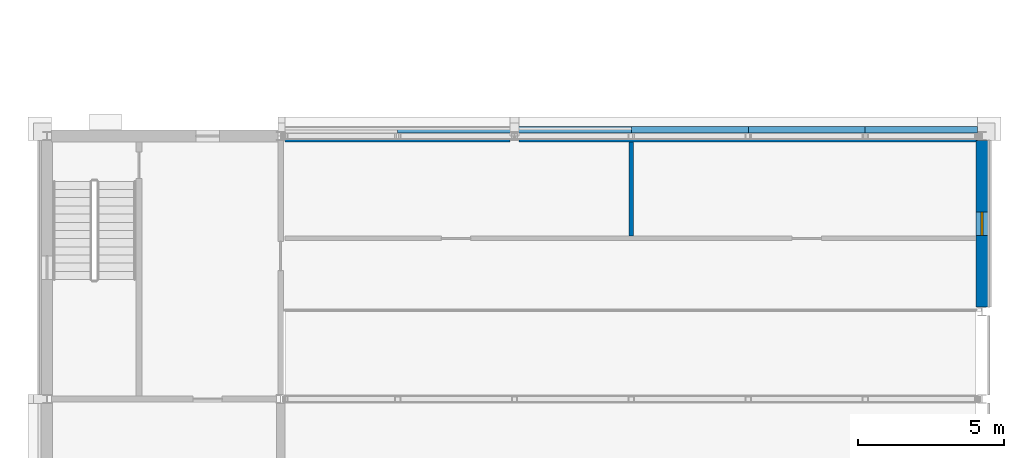
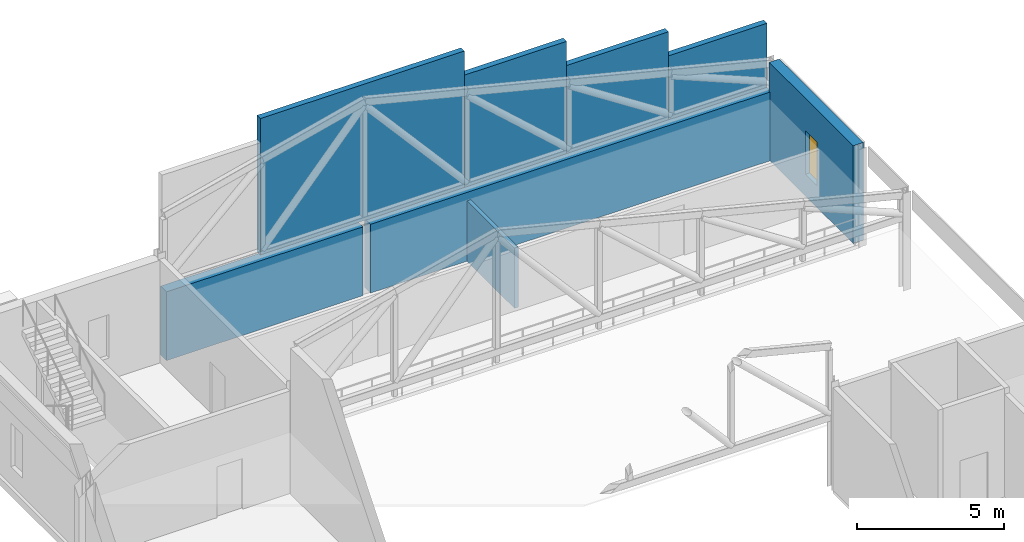
# One storey, part 100 of 149: 8 walls, 1 window, 1 opening.
"""IFC4 building model written with IfcOpenShell, lengths in metres."""

import ifcopenshell
import ifcopenshell.guid

model = None  # the IFC model being written
_history = None  # IfcOwnerHistory: only IFC2X3 demands one
_inside = {}  # id of a spatial element -> (the spatial element, [elements in it])
_under = {}  # id of a project, library or spatial element -> (it, [spatial elements below it])
_declared = {}  # id of a project -> (the project, [libraries it declares])
_typed = {}  # id of a type object -> (the type object, [elements of that type])
_made_of = {}  # id of a material, layer set ... -> (it, [elements and type objects made of it])


def new_model(schema):
    """Start an empty IFC model of exactly this schema.

    Asked for "IFC4X3", IfcOpenShell would pick the latest addendum, in which some entities
    have other attributes; the version numbers below select the first issue.
    IFC2X3 requires an IfcOwnerHistory on every rooted entity: one is made here for all.
    """
    global model, _history
    if schema == "IFC4X3":
        model = ifcopenshell.file(schema_version=(4, 3, 0, 0))
    else:
        model = ifcopenshell.file(schema=schema)
    _inside.clear()
    _under.clear()
    _declared.clear()
    _typed.clear()
    _made_of.clear()
    _history = None
    if model.schema == "IFC2X3":
        org = make("IfcOrganization", Name="unknown")
        user = make(
            "IfcPersonAndOrganization",
            ThePerson=make("IfcPerson", FamilyName="unknown"),
            TheOrganization=org,
        )
        app = make(
            "IfcApplication",
            ApplicationDeveloper=org,
            Version="unknown",
            ApplicationFullName="unknown",
            ApplicationIdentifier="unknown",
        )
        _history = make(
            "IfcOwnerHistory",
            OwningUser=user,
            OwningApplication=app,
            ChangeAction="ADDED",
            CreationDate=0,
        )
    return model


def make(cls, **values):
    """One entity of the class cls with the attributes given. An attribute that is None is left unset."""
    return model.create_entity(
        cls, **{name: value for name, value in values.items() if value is not None}
    )


def rooted(cls, **values):
    """An entity with a GlobalId (a new one), such as an element, a storey or a relation."""
    return make(cls, GlobalId=ifcopenshell.guid.new(), OwnerHistory=_history, **values)


def si_unit(unit_type, name, prefix=None):
    """IfcSIUnit, for example si_unit("LENGTHUNIT", "METRE", prefix="MILLI")."""
    return make("IfcSIUnit", UnitType=unit_type, Prefix=prefix, Name=name)


def assignment(units):
    """IfcUnitAssignment: the units of a project."""
    return None if units is None else make("IfcUnitAssignment", Units=units)


def point(xyz):
    """IfcCartesianPoint."""
    return None if xyz is None else make("IfcCartesianPoint", Coordinates=xyz)


def direction(xyz):
    """IfcDirection."""
    return None if xyz is None else make("IfcDirection", DirectionRatios=xyz)


def frame(location, z_axis=None, x_axis=None):
    """IfcAxis2Placement3D, a coordinate frame: its origin and axes. An axis left out is left unset."""
    return make(
        "IfcAxis2Placement3D",
        Location=point(location),
        Axis=direction(z_axis),
        RefDirection=direction(x_axis),
    )


def frame_2d(location, x_axis=None):
    """IfcAxis2Placement2D, a coordinate frame in the plane: its origin and x axis."""
    return make(
        "IfcAxis2Placement2D", Location=point(location), RefDirection=direction(x_axis)
    )


def origin():
    """The frame at (0, 0, 0) with its axes left unset."""
    return frame((0.0, 0.0, 0.0))


def place(relative_to, where):
    """IfcLocalPlacement: puts the frame where relative to a parent placement (None: the world)."""
    return make(
        "IfcLocalPlacement", PlacementRelTo=relative_to, RelativePlacement=where
    )


def context(
    kind, dimensions, precision=None, world=None, true_north=None, identifier=None
):
    """IfcGeometricRepresentationContext, for example the 3D "Model" context."""
    return make(
        "IfcGeometricRepresentationContext",
        ContextIdentifier=identifier,
        ContextType=kind,
        CoordinateSpaceDimension=dimensions,
        Precision=precision,
        WorldCoordinateSystem=world,
        TrueNorth=true_north,
    )


def subcontext(parent, identifier, kind, view, scale=None):
    """IfcGeometricRepresentationSubContext, for example "Body" below "Model"."""
    return make(
        "IfcGeometricRepresentationSubContext",
        ContextIdentifier=identifier,
        ContextType=kind,
        ParentContext=parent,
        TargetScale=scale,
        TargetView=view,
    )


def project(units=None, contexts=None):
    """IfcProject with its units and contexts."""
    return rooted(
        "IfcProject",
        Name="project",
        RepresentationContexts=contexts,
        UnitsInContext=assignment(units),
    )


def spatial(cls, under=None, at=None, **own):
    """A site, building, storey or space (cls), placed at a placement, below another one or the project."""
    s = rooted(cls, ObjectPlacement=at, **own)
    if under is not None:
        _under.setdefault(under.id(), (under, []))[1].append(s)
    return s


def profile(cls, at=None, kind="AREA", **sizes):
    """A parametric profile (cls). Its sizes go by their IFC names, for example OverallWidth=200.0."""
    return make(cls, ProfileType=kind, Position=at, **sizes)


def rectangle(**sizes):
    """IfcRectangleProfileDef."""
    return profile("IfcRectangleProfileDef", **sizes)


def extrude(swept, where, along, depth):
    """IfcExtrudedAreaSolid: the profile swept, set in the frame where, extruded along a direction by depth."""
    return make(
        "IfcExtrudedAreaSolid",
        SweptArea=swept,
        Position=where,
        ExtrudedDirection=direction(along),
        Depth=depth,
    )


def shape(context_of_items, identifier, shape_type, items):
    """IfcShapeRepresentation: the items that make up one representation, for example the "Body"."""
    return make(
        "IfcShapeRepresentation",
        ContextOfItems=context_of_items,
        RepresentationIdentifier=identifier,
        RepresentationType=shape_type,
        Items=items,
    )


def material(Name=None, Category=None):
    """IfcMaterial."""
    return make("IfcMaterial", Name=Name, Category=Category)


def layer(
    of_material, thickness, ventilated=None, Name=None, Category=None, Priority=None
):
    """IfcMaterialLayer: one layer of a wall or slab, of a material (None: an air gap)."""
    return make(
        "IfcMaterialLayer",
        Material=of_material,
        LayerThickness=thickness,
        IsVentilated=ventilated,
        Name=Name,
        Category=Category,
        Priority=Priority,
    )


def layer_set(layers, Name=None):
    """IfcMaterialLayerSet."""
    return make("IfcMaterialLayerSet", MaterialLayers=layers, LayerSetName=Name)


def made_of(thing, what):
    """Note that an element or type object is made of a material, layer set ...; save() writes the relation."""
    if what is not None:
        _made_of.setdefault(what.id(), (what, []))[1].append(thing)
    return thing


def type_object(cls, material=None, **own):
    """A type object (cls), such as IfcWallType, which elements share."""
    return made_of(rooted(cls, **own), material)


def element(
    cls,
    number,
    at=None,
    inside=None,
    cuts=None,
    type_object=None,
    material=None,
    context=None,
    identifier="Body",
    shape_type=None,
    held_by="IfcProductDefinitionShape",
    body=None,
    shapes=None,
    **own,
):
    """One element of the class cls, such as IfcWall. Its Tag is "e" and its number.

    at: its placement. inside: the storey or other place that contains it. cuts: it is an
    opening in that element (IfcRelVoidsElement). A single representation is given by context,
    identifier, shape_type and body (its items); several are given by shapes. held_by: the class
    of the entity that holds the representations. save() writes the other relations.
    """
    e = rooted(cls, Tag="e%d" % number, ObjectPlacement=at, **own)
    if body is not None:
        shapes = [shape(context, identifier, shape_type, body)]
    if shapes is not None:
        e.Representation = make(held_by, Representations=shapes)
    if inside is not None:
        _inside.setdefault(inside.id(), (inside, []))[1].append(e)
    if cuts is not None:
        rooted(
            "IfcRelVoidsElement", RelatingBuildingElement=cuts, RelatedOpeningElement=e
        )
    if type_object is not None:
        _typed.setdefault(type_object.id(), (type_object, []))[1].append(e)
    return made_of(e, material)


def fill(opening, filler):
    """IfcRelFillsElement: the door or window that sits in an opening."""
    return rooted(
        "IfcRelFillsElement",
        RelatingOpeningElement=opening,
        RelatedBuildingElement=filler,
    )


def aggregate(whole, parts):
    """IfcRelAggregates: a whole, such as a stair, and the parts it consists of."""
    return rooted("IfcRelAggregates", RelatingObject=whole, RelatedObjects=parts)


def save(model, path):
    """Write the relations noted so far, then the file.

    IfcRelAggregates (storeys below a building ...), IfcRelContainedInSpatialStructure (elements
    in a storey), IfcRelDefinesByType, IfcRelAssociatesMaterial and IfcRelDeclares: one each for
    every whole, place, type object, material and project.
    """
    for whole, parts in _under.values():
        aggregate(whole, parts)
    for where, things in _inside.values():
        rooted(
            "IfcRelContainedInSpatialStructure",
            RelatedElements=things,
            RelatingStructure=where,
        )
    for kind, things in _typed.values():
        rooted("IfcRelDefinesByType", RelatedObjects=things, RelatingType=kind)
    for what, things in _made_of.values():
        rooted("IfcRelAssociatesMaterial", RelatedObjects=things, RelatingMaterial=what)
    for by, libraries in _declared.values():
        rooted("IfcRelDeclares", RelatingContext=by, RelatedDefinitions=libraries)
    model.write(path)


model = new_model("IFC4")

# Units and contexts
model_context = context("Model", 3, precision=1e-05, world=origin(), true_north=direction((0.0, 1.0)))
body_context = subcontext(model_context, "Body", "Model", "MODEL_VIEW")
ifc_project = project(units=[si_unit("LENGTHUNIT", "METRE"), si_unit("AREAUNIT", "SQUARE_METRE"), si_unit("VOLUMEUNIT", "CUBIC_METRE"), si_unit("PLANEANGLEUNIT", "RADIAN"), si_unit("MASSUNIT", "GRAM", prefix="KILO")], contexts=[model_context])

# Site, building, storey
site_placement = place(None, origin())
site = spatial("IfcSite", under=ifc_project, at=site_placement, CompositionType="ELEMENT")
building_placement = place(site_placement, origin())
building = spatial("IfcBuilding", under=site, at=building_placement, Name="Kallimachos Central Library", CompositionType="ELEMENT")
storey_placement = place(building_placement, frame((0.0, 0.0, 9.89990234375)))
storey = spatial("IfcBuildingStorey", under=building, at=storey_placement, Name="L02", CompositionType="ELEMENT", Elevation=9.89990234375)

# Walls
ifc_material_1 = material(Name="Glazed ceramic tile")
ifc_layer_1 = layer(ifc_material_1, 0.22509765625)
ifc_layer_set_1 = layer_set([ifc_layer_1], Name="Ceramic gable cladding 225")
wall_type_1 = type_object("IfcWallType", Name="Ceramic gable cladding 225", PredefinedType="SOLIDWALL", material=ifc_layer_set_1)
wall_1_placement = place(storey_placement, frame((150.0, 114.21240234375, 2.85009765625), z_axis=(0.0, 0.0, 1.0), x_axis=(1.0, 0.0, 0.0)))
element("IfcWall", 1, at=wall_1_placement, inside=storey, type_object=wall_type_1, Name="Gable cladding", PredefinedType="SOLIDWALL", context=body_context, shape_type="SweptSolid", body=[
    extrude(rectangle(XDim=8.0, YDim=0.22509765625, at=frame_2d((4.0, 0.0))), origin(), (0.0, 0.0, 1.0), 5.64990234375),
])
wall_2_placement = place(storey_placement, frame((158.0, 114.21240234375, 2.85009765625), z_axis=(0.0, 0.0, 1.0), x_axis=(1.0, 0.0, 0.0)))
element("IfcWall", 2, at=wall_2_placement, inside=storey, type_object=wall_type_1, Name="Gable cladding", PredefinedType="SOLIDWALL", context=body_context, shape_type="SweptSolid", body=[
    extrude(rectangle(XDim=4.0, YDim=0.22509765625, at=frame_2d((2.0, 0.0))), origin(), (0.0, 0.0, 1.0), 4.64990234375),
])
wall_3_placement = place(storey_placement, frame((162.0, 114.21240234375, 2.85009765625), z_axis=(0.0, 0.0, 1.0), x_axis=(1.0, 0.0, 0.0)))
element("IfcWall", 3, at=wall_3_placement, inside=storey, type_object=wall_type_1, Name="Gable cladding", PredefinedType="SOLIDWALL", context=body_context, shape_type="SweptSolid", body=[
    extrude(rectangle(XDim=4.0, YDim=0.22509765625, at=frame_2d((2.0, 0.0))), origin(), (0.0, 0.0, 1.0), 3.64990234375),
])
wall_4_placement = place(storey_placement, frame((166.0, 114.21240234375, 2.85009765625), z_axis=(0.0, 0.0, 1.0), x_axis=(1.0, 0.0, 0.0)))
element("IfcWall", 4, at=wall_4_placement, inside=storey, type_object=wall_type_1, Name="Gable cladding", PredefinedType="SOLIDWALL", context=body_context, shape_type="SweptSolid", body=[
    extrude(rectangle(XDim=3.85009765625, YDim=0.22509765625, at=frame_2d((1.925048828125, 0.0))), origin(), (0.0, 0.0, 1.0), 2.64990234375),
])
ifc_material_2 = material(Name="Gypsum board on steel studs", Category="steel")
ifc_layer_2 = layer(ifc_material_2, 0.14990234375)
ifc_layer_set_2 = layer_set([ifc_layer_2], Name="Partition wall 150")
wall_type_2 = type_object("IfcWallType", Name="Partition wall 150", PredefinedType="PARTITIONING", material=ifc_layer_set_2)
wall_5_placement = place(storey_placement, frame((158.0, 110.574951171875, 0.0), z_axis=(0.0, 0.0, 1.0), x_axis=(0.0, 1.0, 0.0)))
element("IfcWall", 5, at=wall_5_placement, inside=storey, type_object=wall_type_2, Name="V3-WAL-L02-036", PredefinedType="PARTITIONING", context=body_context, shape_type="SweptSolid", body=[
    extrude(rectangle(XDim=3.22509765625, YDim=0.14990234375, at=frame_2d((1.612548828125, 0.0))), origin(), (0.0, 0.0, 1.0), 2.5),
])

# Wall, opening, window
ifc_material_3 = material(Name="Concrete C30/37", Category="concrete")
ifc_layer_3 = layer(ifc_material_3, 0.39990234375)
ifc_layer_set_3 = layer_set([ifc_layer_3], Name="Stone-clad wall 400")
wall_type_3 = type_object("IfcWallType", Name="Stone-clad wall 400", PredefinedType="SOLIDWALL", material=ifc_layer_set_3)
wall_6_placement = place(storey_placement, frame((170.0, 108.14990234375, 0.0), z_axis=(0.0, 0.0, 1.0), x_axis=(0.0, 1.0, 0.0)))
wall_6 = element("IfcWall", 6, at=wall_6_placement, inside=storey, type_object=wall_type_3, Name="V3-WAL-L02-004", PredefinedType="SOLIDWALL", context=body_context, shape_type="SweptSolid", body=[
    extrude(rectangle(XDim=5.7001953125, YDim=0.39990234375, at=frame_2d((2.85009765625, 0.0))), origin(), (0.0, 0.0, 1.0), 4.050048828125),
])
opening_placement = place(wall_6_placement, frame((2.449951171875, 0.0, 0.89990234375)))
opening = element("IfcOpeningElement", 7, at=opening_placement, cuts=wall_6, Name="Opening W80", PredefinedType="OPENING", context=body_context, shape_type="SweptSolid", body=[
    extrude(rectangle(XDim=0.800048828125, YDim=1.800048828125, at=frame_2d((0.39990234375, 0.89990234375))), frame((0.0, 0.2099609375, 0.0), z_axis=(0.0, -1.0, 0.0), x_axis=(1.0, 0.0, 0.0)), (0.0, 0.0, 1.0), 0.419921875),
])
ifc_material_4 = material(Name="Anodised aluminium and laminated glass", Category="aluminium")
window_type = type_object("IfcWindowType", Name="Slot window 800 x 1800", PartitioningType="SINGLE_PANEL", PredefinedType="WINDOW", material=ifc_material_4)
window_placement = place(opening_placement, origin())
window = element("IfcWindow", 8, at=window_placement, inside=storey, type_object=window_type, Name="V3-WIN-L02-007", OverallHeight=1.800048828125, OverallWidth=0.800048828125, PartitioningType="SINGLE_PANEL", PredefinedType="WINDOW", context=body_context, shape_type="SweptSolid", body=[
    extrude(rectangle(XDim=0.800048828125, YDim=1.800048828125, at=frame_2d((0.39990234375, 0.89990234375))), frame((0.0, 0.030029296875, 0.0), z_axis=(0.0, -1.0, 0.0), x_axis=(1.0, 0.0, 0.0)), (0.0, 0.0, 1.0), 0.06005859375),
])
fill(opening, window)

# Walls
wall_7_placement = place(storey_placement, frame((146.14990234375, 114.0, 0.0), z_axis=(0.0, 0.0, 1.0), x_axis=(1.0, 0.0, 0.0)))
element("IfcWall", 9, at=wall_7_placement, inside=storey, type_object=wall_type_3, Name="V3-WAL-L02-009", PredefinedType="SOLIDWALL", context=body_context, shape_type="SweptSolid", body=[
    extrude(rectangle(XDim=7.7001953125, YDim=0.39990234375, at=frame_2d((3.85009765625, 0.0))), origin(), (0.0, 0.0, 1.0), 2.85009765625),
])
wall_8_placement = place(storey_placement, frame((154.14990234375, 114.0, 0.0), z_axis=(0.0, 0.0, 1.0), x_axis=(1.0, 0.0, 0.0)))
element("IfcWall", 10, at=wall_8_placement, inside=storey, type_object=wall_type_3, Name="V3-WAL-L02-010", PredefinedType="SOLIDWALL", context=body_context, shape_type="SweptSolid", body=[
    extrude(rectangle(XDim=15.7001953125, YDim=0.39990234375, at=frame_2d((7.85009765625, 0.0))), origin(), (0.0, 0.0, 1.0), 2.85009765625),
])

save(model, "model.ifc")
